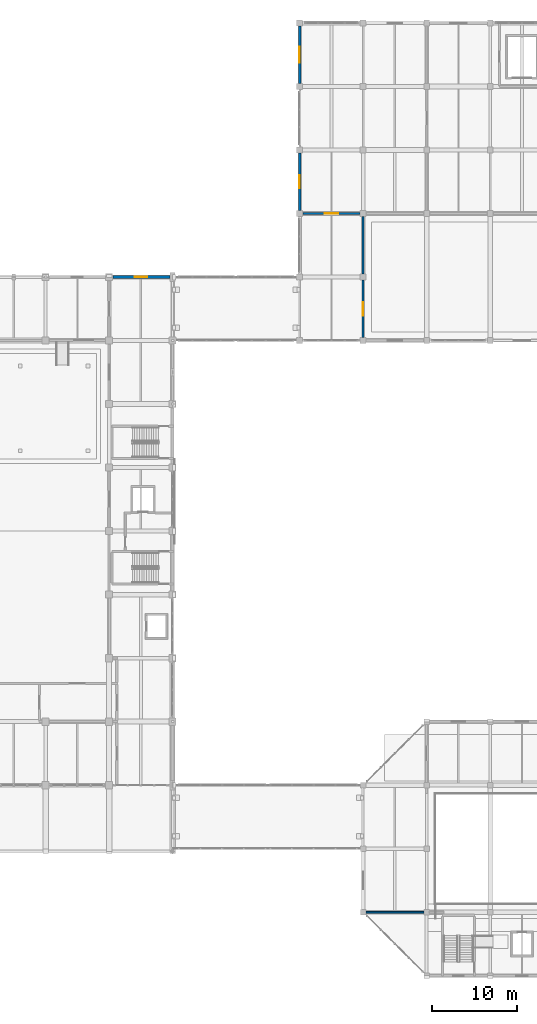
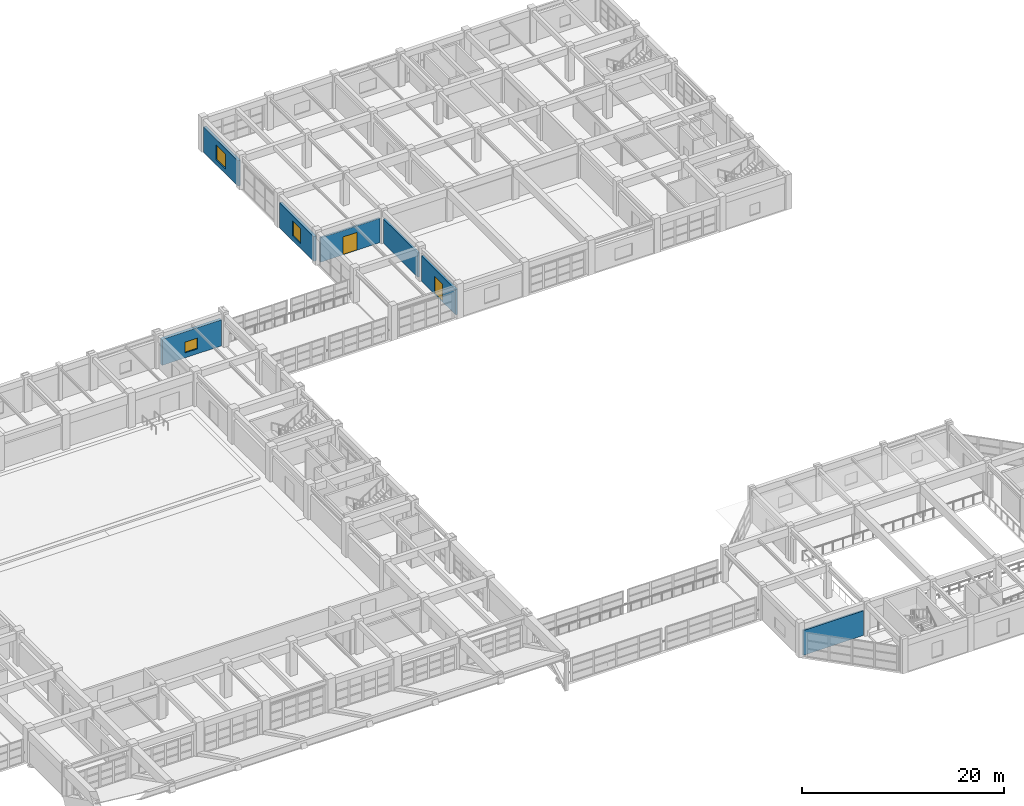
# One storey, part 106 of 132: 7 walls, 3 windows, 2 doors, 5 openings.
"""IFC4 building model written with IfcOpenShell, lengths in metres."""

from ifc_helpers import new_model, si_unit, direction, frame, frame_2d, origin, place, context, subcontext, project, spatial, rectangle, extrude, material, layer, layer_set, type_object, element, fill, save


model = new_model("IFC4")

# Units and contexts
model_context = context("Model", 3, precision=1e-05, world=origin(), true_north=direction((0.0, 1.0)))
body_context = subcontext(model_context, "Body", "Model", "MODEL_VIEW")
ifc_project = project(units=[si_unit("LENGTHUNIT", "METRE"), si_unit("AREAUNIT", "SQUARE_METRE"), si_unit("VOLUMEUNIT", "CUBIC_METRE"), si_unit("PLANEANGLEUNIT", "RADIAN"), si_unit("MASSUNIT", "GRAM", prefix="KILO")], contexts=[model_context])

# Site, building, storey
site_placement = place(None, origin())
site = spatial("IfcSite", under=ifc_project, at=site_placement, CompositionType="ELEMENT")
building_placement = place(site_placement, origin())
building = spatial("IfcBuilding", under=site, at=building_placement, Name="Qasida Concert Hall", CompositionType="ELEMENT")
storey_placement = place(building_placement, frame((0.0, 0.0, 4.800048828125)))
storey = spatial("IfcBuildingStorey", under=building, at=storey_placement, Name="L01", CompositionType="ELEMENT", Elevation=4.800048828125)

# Wall, opening, window
ifc_material_1 = material(Name="Precast concrete C40/50", Category="concrete")
ifc_layer_1 = layer(ifc_material_1, 0.320068359375, Name="Precast concrete C40/50")
ifc_layer_set_1 = layer_set([ifc_layer_1], Name="Precast concrete C40/50")
wall_type_1 = type_object("IfcWallType", Name="WL-EW-320", PredefinedType="SOLIDWALL", material=ifc_layer_set_1)
wall_1_placement = place(storey_placement, frame((120.0, 90.35498046875, 0.0), z_axis=(0.0, 0.0, 1.0), x_axis=(0.0, 1.0, 0.0)))
wall_1 = element("IfcWall", 1, at=wall_1_placement, inside=storey, type_object=wall_type_1, Name="L01 exterior wall EW-320 0195", PredefinedType="SOLIDWALL", context=body_context, shape_type="SweptSolid", body=[
    extrude(rectangle(XDim=6.7900390625, YDim=0.320068359375, at=frame_2d((3.39501953125, 0.0))), origin(), (0.0, 0.0, 1.0), 2.989990234375),
])
opening_1_placement = place(wall_1_placement, frame((2.6201171875, 0.0, 0.60009765625)))
opening_1 = element("IfcOpeningElement", 2, at=opening_1_placement, cuts=wall_1, Name="Opening WN-04", PredefinedType="OPENING", context=body_context, shape_type="SweptSolid", body=[
    extrude(rectangle(XDim=1.550048828125, YDim=1.800048828125, at=frame_2d((0.77490234375, 0.89990234375))), frame((0.0, 0.169921875, 0.0), z_axis=(0.0, -1.0, 0.0), x_axis=(1.0, 0.0, 0.0)), (0.0, 0.0, 1.0), 0.340087890625),
])
ifc_material_2 = material(Name="Bronze-anodized aluminium frame with acoustic low-E glazing", Category="aluminium")
window_type_1 = type_object("IfcWindowType", Name="WN-04", PartitioningType="SINGLE_PANEL", PredefinedType="WINDOW", material=ifc_material_2)
window_1_placement = place(opening_1_placement, origin())
window_1 = element("IfcWindow", 3, at=window_1_placement, inside=storey, type_object=window_type_1, Name="L01 window WN-04 0098", OverallHeight=1.800048828125, OverallWidth=1.550048828125, PartitioningType="SINGLE_PANEL", PredefinedType="WINDOW", context=body_context, shape_type="SweptSolid", body=[
    extrude(rectangle(XDim=1.550048828125, YDim=1.800048828125, at=frame_2d((0.77490234375, 0.89990234375))), frame((0.0, 0.030029296875, 0.0), z_axis=(0.0, -1.0, 0.0), x_axis=(1.0, 0.0, 0.0)), (0.0, 0.0, 1.0), 0.06005859375),
])
fill(opening_1, window_1)

wall_2_placement = place(storey_placement, frame((120.0, 105.35498046875, 0.0), z_axis=(0.0, 0.0, 1.0), x_axis=(0.0, 1.0, 0.0)))
wall_2 = element("IfcWall", 4, at=wall_2_placement, inside=storey, type_object=wall_type_1, Name="L01 exterior wall EW-320 0197", PredefinedType="SOLIDWALL", context=body_context, shape_type="SweptSolid", body=[
    extrude(rectangle(XDim=6.7900390625, YDim=0.320068359375, at=frame_2d((3.39501953125, 0.0))), origin(), (0.0, 0.0, 1.0), 3.0400390625),
])
opening_2_placement = place(wall_2_placement, frame((2.469970703125, 0.0, 0.60009765625)))
opening_2 = element("IfcOpeningElement", 5, at=opening_2_placement, cuts=wall_2, Name="Opening WN-06", PredefinedType="OPENING", context=body_context, shape_type="SweptSolid", body=[
    extrude(rectangle(XDim=1.85009765625, YDim=1.800048828125, at=frame_2d((0.925048828125, 0.89990234375))), frame((0.0, 0.169921875, 0.0), z_axis=(0.0, -1.0, 0.0), x_axis=(1.0, 0.0, 0.0)), (0.0, 0.0, 1.0), 0.340087890625),
])
window_type_2 = type_object("IfcWindowType", Name="WN-06", PartitioningType="SINGLE_PANEL", PredefinedType="WINDOW", material=ifc_material_2)
window_2_placement = place(opening_2_placement, origin())
window_2 = element("IfcWindow", 6, at=window_2_placement, inside=storey, type_object=window_type_2, Name="L01 window WN-06 0099", OverallHeight=1.800048828125, OverallWidth=1.85009765625, PartitioningType="SINGLE_PANEL", PredefinedType="WINDOW", context=body_context, shape_type="SweptSolid", body=[
    extrude(rectangle(XDim=1.85009765625, YDim=1.800048828125, at=frame_2d((0.925048828125, 0.89990234375))), frame((0.0, 0.030029296875, 0.0), z_axis=(0.0, -1.0, 0.0), x_axis=(1.0, 0.0, 0.0)), (0.0, 0.0, 1.0), 0.06005859375),
])
fill(opening_2, window_2)

ifc_layer_2 = layer(ifc_material_1, 0.340087890625, Name="Precast concrete C40/50")
ifc_layer_set_2 = layer_set([ifc_layer_2], Name="Precast concrete C40/50")
wall_type_2 = type_object("IfcWallType", Name="WL-EW-340", PredefinedType="SOLIDWALL", material=ifc_layer_set_2)
wall_3_placement = place(storey_placement, frame((97.93505859375, 82.5, 0.0), z_axis=(0.0, 0.0, 1.0), x_axis=(1.0, 0.0, 0.0)))
wall_3 = element("IfcWall", 7, at=wall_3_placement, inside=storey, type_object=wall_type_2, Name="L01 exterior wall EW-340 0045", PredefinedType="SOLIDWALL", context=body_context, shape_type="SweptSolid", body=[
    extrude(rectangle(XDim=6.760009765625, YDim=0.340087890625, at=frame_2d((3.3798828125, 0.0))), origin(), (0.0, 0.0, 1.0), 3.139892578125),
])
opening_3_placement = place(wall_3_placement, frame((2.590087890625, 0.0, 0.60009765625)))
opening_3 = element("IfcOpeningElement", 8, at=opening_3_placement, cuts=wall_3, Name="Opening WN-11", PredefinedType="OPENING", context=body_context, shape_type="SweptSolid", body=[
    extrude(rectangle(XDim=1.449951171875, YDim=1.300048828125, at=frame_2d((0.72509765625, 0.64990234375))), frame((0.0, 0.179931640625, 0.0), z_axis=(0.0, -1.0, 0.0), x_axis=(1.0, 0.0, 0.0)), (0.0, 0.0, 1.0), 0.360107421875),
])
window_type_3 = type_object("IfcWindowType", Name="WN-11", PartitioningType="SINGLE_PANEL", PredefinedType="WINDOW", material=ifc_material_2)
window_3_placement = place(opening_3_placement, origin())
window_3 = element("IfcWindow", 9, at=window_3_placement, inside=storey, type_object=window_type_3, Name="L01 window WN-11 0014", OverallHeight=1.300048828125, OverallWidth=1.449951171875, PartitioningType="SINGLE_PANEL", PredefinedType="WINDOW", context=body_context, shape_type="SweptSolid", body=[
    extrude(rectangle(XDim=1.449951171875, YDim=1.300048828125, at=frame_2d((0.72509765625, 0.64990234375))), frame((0.0, 0.030029296875, 0.0), z_axis=(0.0, -1.0, 0.0), x_axis=(1.0, 0.0, 0.0)), (0.0, 0.0, 1.0), 0.06005859375),
])
fill(opening_3, window_3)

# Wall, opening, door
ifc_material_3 = material(Name="Acoustic gypsum block and mineral wool", Category="gypsum")
ifc_layer_3 = layer(ifc_material_3, 0.199951171875, Name="Acoustic gypsum block and mineral wool")
ifc_layer_set_3 = layer_set([ifc_layer_3], Name="Acoustic gypsum block and mineral wool")
wall_type_3 = type_object("IfcWallType", Name="WL-PW-200", PredefinedType="PARTITIONING", material=ifc_layer_set_3)
wall_4_placement = place(storey_placement, frame((120.364013671875, 90.0, 0.0), z_axis=(0.0, 0.0, 1.0), x_axis=(1.0, 0.0, 0.0)))
wall_4 = element("IfcWall", 10, at=wall_4_placement, inside=storey, type_object=wall_type_3, Name="L01 partition PW-200 0558", PredefinedType="PARTITIONING", context=body_context, shape_type="SweptSolid", body=[
    extrude(rectangle(XDim=6.77197265625, YDim=0.199951171875, at=frame_2d((3.385986328125, 0.0))), origin(), (0.0, 0.0, 1.0), 2.93994140625),
])
opening_4_placement = place(wall_4_placement, frame((2.5859375, 0.0, 0.0)))
opening_4 = element("IfcOpeningElement", 11, at=opening_4_placement, cuts=wall_4, Name="Opening AD-160", PredefinedType="OPENING", context=body_context, shape_type="SweptSolid", body=[
    extrude(rectangle(XDim=1.60009765625, YDim=2.159912109375, at=frame_2d((0.800048828125, 1.080078125))), frame((0.0, 0.10986328125, 0.0), z_axis=(0.0, -1.0, 0.0), x_axis=(1.0, 0.0, 0.0)), (0.0, 0.0, 1.0), 0.219970703125),
])
ifc_material_4 = material(Name="Double-seal Rw 50 dB rehearsal hall door", Category="wood")
door_type = type_object("IfcDoorType", Name="AD-160", OperationType="NOTDEFINED", PredefinedType="DOOR", material=ifc_material_4)
door_1_placement = place(opening_4_placement, origin())
door_1 = element("IfcDoor", 12, at=door_1_placement, inside=storey, type_object=door_type, Name="L01 Choral rehearsal south vestibule door", OperationType="SINGLE_SWING_RIGHT", OverallHeight=2.159912109375, OverallWidth=1.60009765625, PredefinedType="DOOR", context=body_context, shape_type="SweptSolid", body=[
    extrude(rectangle(XDim=1.60009765625, YDim=2.159912109375, at=frame_2d((0.800048828125, 1.080078125))), frame((0.0, 0.02490234375, 0.0), z_axis=(0.0, -1.0, 0.0), x_axis=(1.0, 0.0, 0.0)), (0.0, 0.0, 1.0), 0.050048828125),
])
fill(opening_4, door_1)

# Wall
wall_5_placement = place(storey_placement, frame((127.823974609375, 7.5, 0.0), z_axis=(0.0, 0.0, 1.0), x_axis=(1.0, 0.0, 0.0)))
element("IfcWall", 13, at=wall_5_placement, inside=storey, type_object=wall_type_3, Name="L01 partition PW-200 0592", PredefinedType="PARTITIONING", context=body_context, shape_type="SweptSolid", body=[
    extrude(rectangle(XDim=6.85205078125, YDim=0.199951171875, at=frame_2d((3.426025390625, 0.0))), origin(), (0.0, 0.0, 1.0), 2.989990234375),
])

# Wall, opening, door
ifc_material_5 = material(Name="Double-stud acoustic gypsum and mineral wool", Category="gypsum")
ifc_layer_4 = layer(ifc_material_5, 0.239990234375, Name="Double-stud acoustic gypsum and mineral wool")
ifc_layer_set_4 = layer_set([ifc_layer_4], Name="Double-stud acoustic gypsum and mineral wool")
wall_type_4 = type_object("IfcWallType", Name="WL-PW-240", PredefinedType="PARTITIONING", material=ifc_layer_set_4)
wall_6_placement = place(storey_placement, frame((127.5, 75.364013671875, 0.0), z_axis=(0.0, 0.0, 1.0), x_axis=(0.0, 1.0, 0.0)))
wall_6 = element("IfcWall", 14, at=wall_6_placement, inside=storey, type_object=wall_type_4, Name="L01 partition PW-240 0562", PredefinedType="PARTITIONING", context=body_context, shape_type="SweptSolid", body=[
    extrude(rectangle(XDim=6.77197265625, YDim=0.239990234375, at=frame_2d((3.385986328125, 0.0))), origin(), (0.0, 0.0, 1.0), 3.0400390625),
])
opening_5_placement = place(wall_6_placement, frame((2.5859375, 0.0, 0.0)))
opening_5 = element("IfcOpeningElement", 15, at=opening_5_placement, cuts=wall_6, Name="Opening AD-160", PredefinedType="OPENING", context=body_context, shape_type="SweptSolid", body=[
    extrude(rectangle(XDim=1.60009765625, YDim=2.159912109375, at=frame_2d((0.800048828125, 1.080078125))), frame((0.0, 0.1298828125, 0.0), z_axis=(0.0, -1.0, 0.0), x_axis=(1.0, 0.0, 0.0)), (0.0, 0.0, 1.0), 0.260009765625),
])
door_2_placement = place(opening_5_placement, origin())
door_2 = element("IfcDoor", 16, at=door_2_placement, inside=storey, type_object=door_type, Name="L01 Orchestral rehearsal west vestibule door", OperationType="SINGLE_SWING_LEFT", OverallHeight=2.159912109375, OverallWidth=1.60009765625, PredefinedType="DOOR", context=body_context, shape_type="SweptSolid", body=[
    extrude(rectangle(XDim=1.60009765625, YDim=2.159912109375, at=frame_2d((0.800048828125, 1.080078125))), frame((0.0, 0.02490234375, 0.0), z_axis=(0.0, -1.0, 0.0), x_axis=(1.0, 0.0, 0.0)), (0.0, 0.0, 1.0), 0.050048828125),
])
fill(opening_5, door_2)

# Wall
wall_7_placement = place(storey_placement, frame((127.5, 82.864013671875, 0.0), z_axis=(0.0, 0.0, 1.0), x_axis=(0.0, 1.0, 0.0)))
element("IfcWall", 17, at=wall_7_placement, inside=storey, type_object=wall_type_4, Name="L01 partition PW-240 0563", PredefinedType="PARTITIONING", context=body_context, shape_type="SweptSolid", body=[
    extrude(rectangle(XDim=6.77197265625, YDim=0.239990234375, at=frame_2d((3.385986328125, 0.0))), origin(), (0.0, 0.0, 1.0), 2.93994140625),
])

save(model, "model.ifc")
